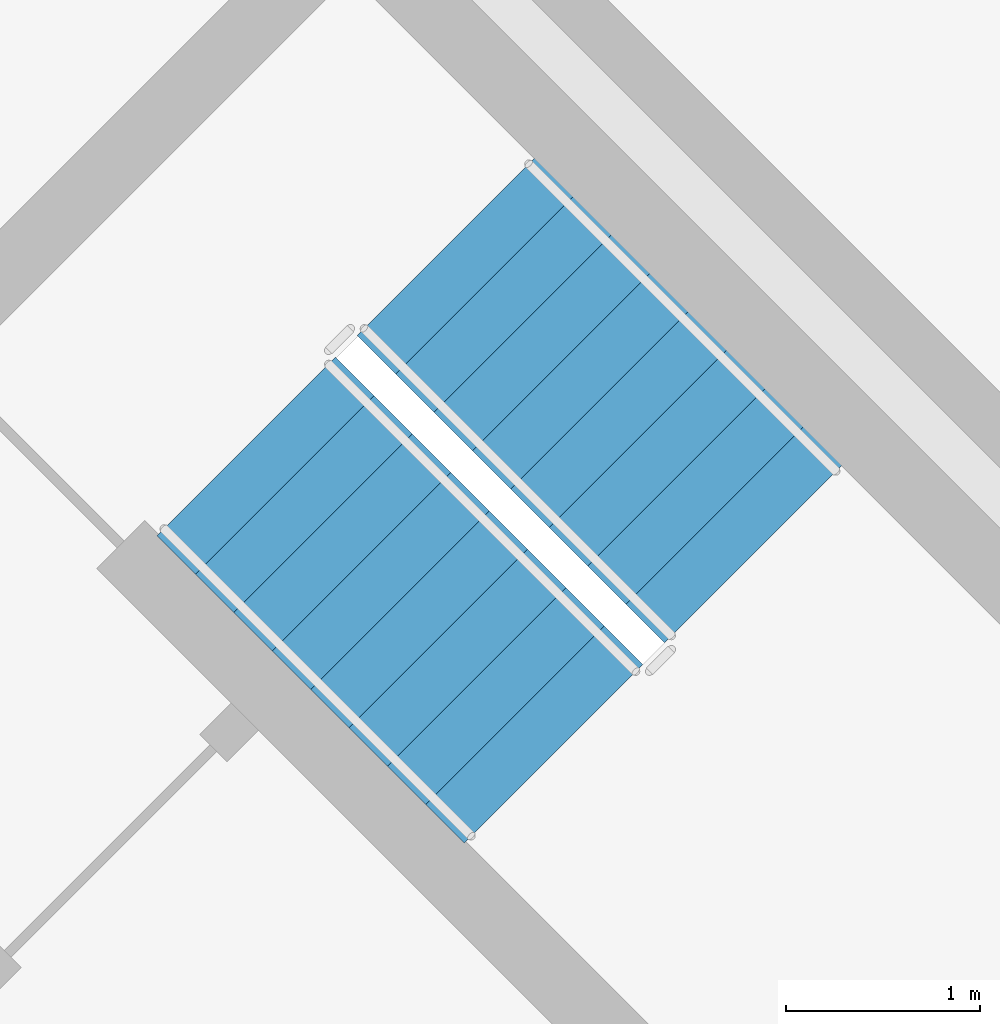
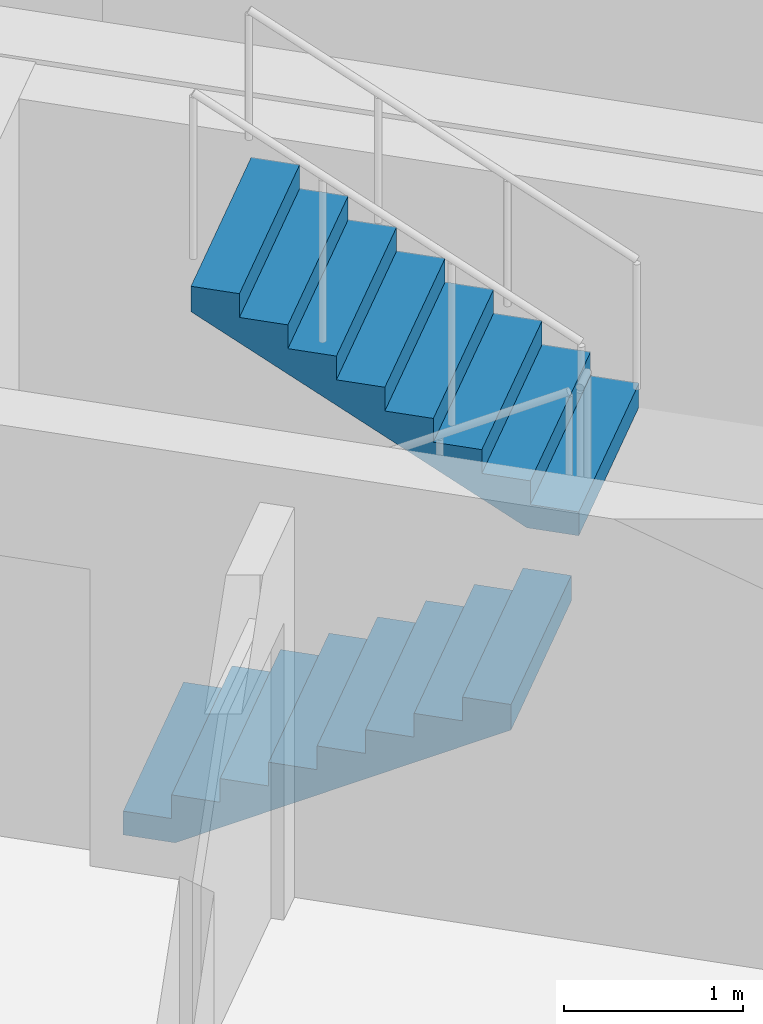
# One storey, part 15 of 18: 2 stair flights, 1 element without a shape of its own.
"""IFC4 building model written with IfcOpenShell, lengths in metres."""

from ifc_helpers import new_model, si_unit, direction, frame, origin, place, context, subcontext, project, spatial, polyline, outline, extrude, material, type_object, element, aggregate, save


model = new_model("IFC4")

# Units and contexts
model_context = context("Model", 3, precision=1e-05, world=origin(), true_north=direction((0.0, 1.0)))
body_context = subcontext(model_context, "Body", "Model", "MODEL_VIEW")
ifc_project = project(units=[si_unit("LENGTHUNIT", "METRE"), si_unit("AREAUNIT", "SQUARE_METRE"), si_unit("VOLUMEUNIT", "CUBIC_METRE"), si_unit("PLANEANGLEUNIT", "RADIAN"), si_unit("MASSUNIT", "GRAM", prefix="KILO")], contexts=[model_context])

# Site, building, storey
site_placement = place(None, origin())
site = spatial("IfcSite", under=ifc_project, at=site_placement, CompositionType="ELEMENT")
building_placement = place(site_placement, origin())
building = spatial("IfcBuilding", under=site, at=building_placement, Name="Cununo Teusaquillo Station Towers", CompositionType="ELEMENT")
storey_placement = place(building_placement, frame((0.0, 0.0, 87.610107421875)))
storey = spatial("IfcBuildingStorey", under=building, at=storey_placement, Name="L27", CompositionType="ELEMENT", Elevation=87.610107421875)

# Stair, stair flights
ifc_material_1 = material(Name="Concrete C50/60", Category="concrete")
stair_type = type_object("IfcStairType", Name="ST-TWR-1300", PredefinedType="HALF_TURN_STAIR", material=ifc_material_1)
stair_placement = place(storey_placement, origin())
stair = element("IfcStair", 1, at=stair_placement, inside=storey, type_object=stair_type, Name="L27 Tower B Protected Core Exit Stair 2", PredefinedType="HALF_TURN_STAIR")
ifc_material_2 = material(Name="Concrete C50/60", Category="concrete")
stair_flight_type = type_object("IfcStairFlightType", Name="SFL-TWR-1300", PredefinedType="STRAIGHT", material=ifc_material_2)
stair_flight_1_placement = place(storey_placement, frame((60.54052734375, 25.1787109375, 0.0), z_axis=(0.0, 0.0, 1.0), x_axis=(0.707106781187, -0.707106781187, 0.0)))
stair_flight_1 = element("IfcStairFlight", 2, at=stair_flight_1_placement, type_object=stair_flight_type, Name="ST-T2-2 flight 1", NumberOfRisers=9, NumberOfTreads=8, PredefinedType="STRAIGHT", RiserHeight=0.161666667, TreadLength=0.28, context=body_context, shape_type="SweptSolid", body=[
    extrude(outline(polyline([(0.0, 0.0), (0.0, 0.16162109375), (0.280029296875, 0.16162109375), (0.280029296875, 0.3232421875), (0.56005859375, 0.3232421875), (0.56005859375, 0.485107421875), (0.840087890625, 0.485107421875), (0.840087890625, 0.646728515625), (1.1201171875, 0.646728515625), (1.1201171875, 0.808349609375), (1.39990234375, 0.808349609375), (1.39990234375, 0.969970703125), (1.679931640625, 0.969970703125), (1.679931640625, 1.131591796875), (1.9599609375, 1.131591796875), (1.9599609375, 1.293212890625), (2.239990234375, 1.293212890625), (2.239990234375, 1.455078125), (2.239990234375, 1.1201171875), (0.2998046875, 0.0), (0.0, 0.0)])), frame((0.0, 0.64990234375, 0.0), z_axis=(0.0, -1.0, 0.0), x_axis=(1.0, 0.0, 0.0)), (0.0, 0.0, 1.0), 1.300048828125),
])
stair_flight_2_placement = place(storey_placement, frame((63.15673828125, 24.627197265625, 1.454833984375), z_axis=(0.0, 0.0, 1.0), x_axis=(-0.707106781187, 0.707106781187, 0.0)))
stair_flight_2 = element("IfcStairFlight", 3, at=stair_flight_2_placement, type_object=stair_flight_type, Name="ST-T2-2 flight 2", NumberOfRisers=9, NumberOfTreads=8, PredefinedType="STRAIGHT", RiserHeight=0.161666667, TreadLength=0.28, context=body_context, shape_type="SweptSolid", body=[
    extrude(outline(polyline([(0.0, 0.0), (0.0, 0.16162109375), (0.280029296875, 0.16162109375), (0.280029296875, 0.3232421875), (0.56005859375, 0.3232421875), (0.56005859375, 0.485107421875), (0.840087890625, 0.485107421875), (0.840087890625, 0.646728515625), (1.1201171875, 0.646728515625), (1.1201171875, 0.808349609375), (1.39990234375, 0.808349609375), (1.39990234375, 0.969970703125), (1.679931640625, 0.969970703125), (1.679931640625, 1.131591796875), (1.9599609375, 1.131591796875), (1.9599609375, 1.293212890625), (2.239990234375, 1.293212890625), (2.239990234375, 1.455078125), (2.239990234375, 1.1201171875), (0.2998046875, 0.0), (0.0, 0.0)])), frame((0.0, 0.64990234375, 0.0), z_axis=(0.0, -1.0, 0.0), x_axis=(1.0, 0.0, 0.0)), (0.0, 0.0, 1.0), 1.300048828125),
])
aggregate(stair, [stair_flight_1, stair_flight_2])

save(model, "model.ifc")
